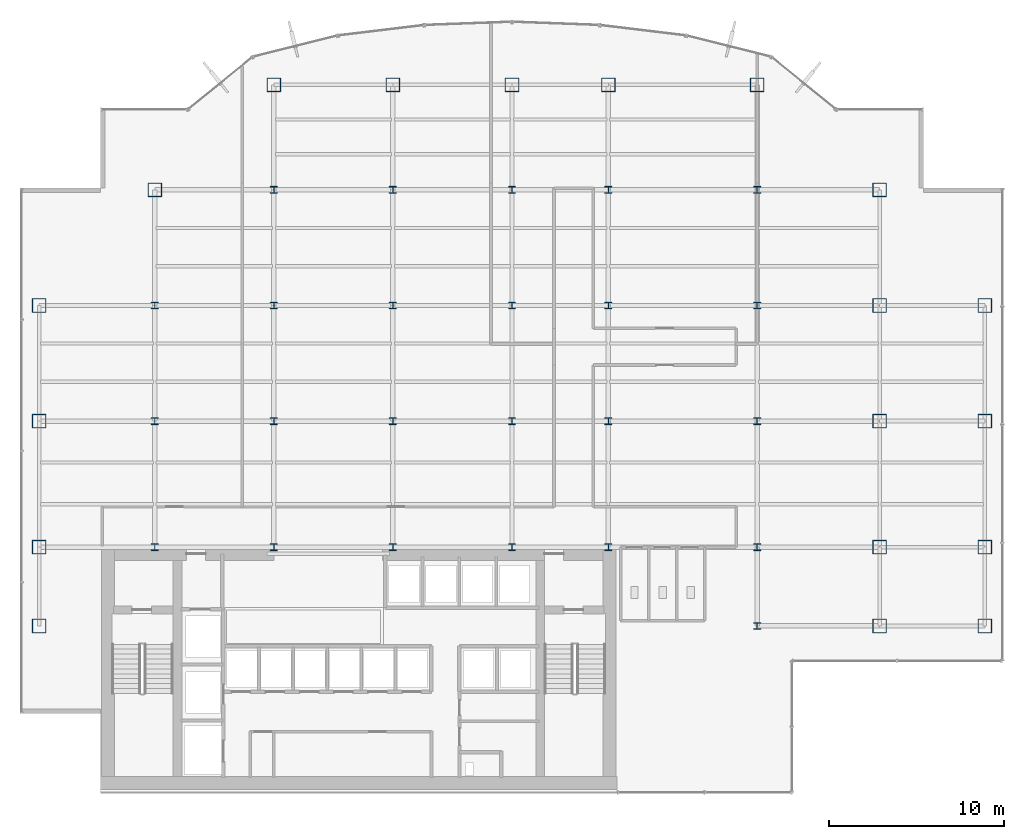
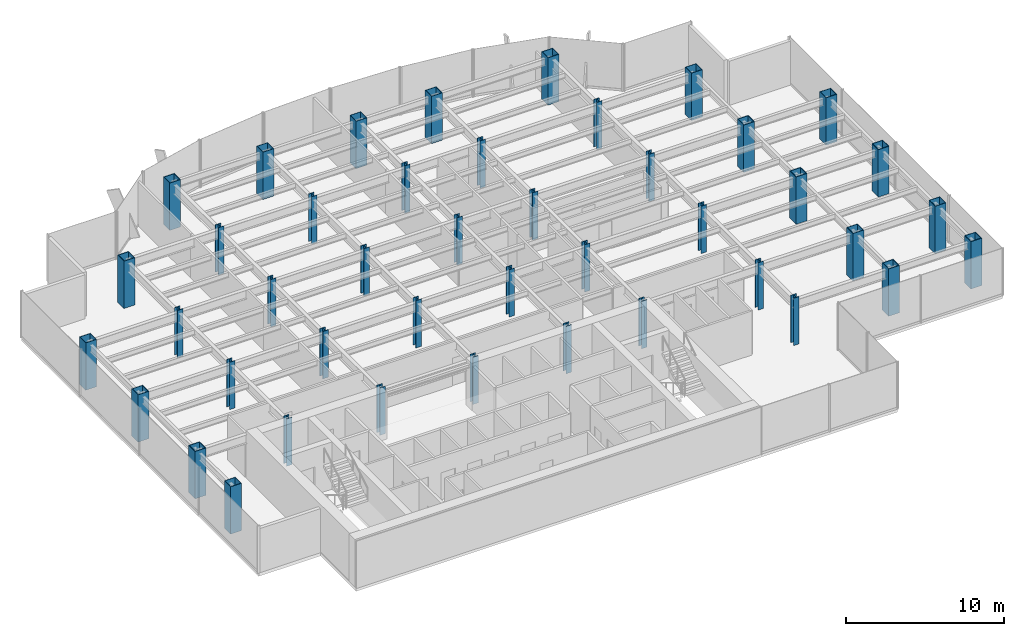
# One storey, part 1 of 26: 43 columns.
"""IFC4 building model written with IfcOpenShell, lengths in metres."""

from ifc_helpers import new_model, si_unit, derived_unit, direction, frame, origin, origin_2d, place, context, subcontext, project, spatial, hollow_rectangle, i_section, extrude, source, transform, mapped, material, material_profile, profile_set, type_object, element, save


model = new_model("IFC4")

# Units and contexts
model_context = context("Model", 3, precision=1e-05, world=origin(), true_north=direction((0.0, 1.0)))
body_context = subcontext(model_context, "Body", "Model", "MODEL_VIEW")
ifc_project = project(units=[si_unit("LENGTHUNIT", "METRE"), si_unit("AREAUNIT", "SQUARE_METRE"), si_unit("VOLUMEUNIT", "CUBIC_METRE"), si_unit("PLANEANGLEUNIT", "RADIAN"), si_unit("MASSUNIT", "GRAM", prefix="KILO"), derived_unit("THERMALTRANSMITTANCEUNIT", [(si_unit("POWERUNIT", "WATT"), 1), (si_unit("LENGTHUNIT", "METRE"), -2), (si_unit("THERMODYNAMICTEMPERATUREUNIT", "KELVIN"), -1)])], contexts=[model_context])

# Site, building, storey
site_placement = place(None, origin())
site = spatial("IfcSite", under=ifc_project, at=site_placement, CompositionType="ELEMENT")
building_placement = place(site_placement, origin())
building = spatial("IfcBuilding", under=site, at=building_placement, Name="Skarnbrae Concourse Arena and Tower", CompositionType="ELEMENT")
storey_placement = place(building_placement, frame((0.0, 0.0, 117.85009765625)))
storey = spatial("IfcBuildingStorey", under=building, at=storey_placement, Name="L29", CompositionType="ELEMENT", Elevation=117.85009765625)

# Columns
ifc_material = material(Name="Steel CSA G40.21 350W", Category="steel")
ifc_material_profile_1 = material_profile(ifc_material, hollow_rectangle(XDim=0.800048828125, YDim=0.800048828125, WallThickness=0.0400390625, at=origin_2d()), Name="BOX800X800X40")
ifc_profile_set_1 = profile_set([ifc_material_profile_1], Name="Steel CSA G40.21 350W")
column_type_1 = type_object("IfcColumnType", Name="COL-TUBE-BOX800", PredefinedType="COLUMN", material=ifc_profile_set_1)
shared_shape_1 = source(origin(), body_context, "Body", "SweptSolid", [
    extrude(hollow_rectangle(XDim=0.800048828125, YDim=0.800048828125, WallThickness=0.0400390625, at=origin_2d()), origin(), (0.0, 0.0, 1.0), 3.64990234375),
])
for number, where, z_axis, x_axis, name in (
    (1, (1.0, 9.5, 0.0), (0.0, 0.0, 1.0), (1.0, 0.0, 0.0), "L29 Tower column PC_01_01"),
    (2, (1.0, 14.0, 0.0), (0.0, 0.0, 1.0), (1.0, 0.0, 0.0), "L29 Tower column PC_01_02"),
    (3, (1.0, 21.199951171875, 0.0), (0.0, 0.0, 1.0), (1.0, 0.0, 0.0), "L29 Tower column PC_01_03"),
    (4, (1.0, 27.800048828125, 0.0), (0.0, 0.0, 1.0), (1.0, 0.0, 0.0), "L29 Tower column PC_01_04"),
    (5, (7.60009765625, 34.39990234375, 0.0), (0.0, 0.0, 1.0), (1.0, 0.0, 0.0), "L29 Tower column PC_02_05"),
    (6, (14.39990234375, 40.39990234375, 0.0), (0.0, 0.0, 1.0), (1.0, 0.0, 0.0), "L29 Tower column PC_03_06"),
    (7, (21.199951171875, 40.39990234375, 0.0), (0.0, 0.0, 1.0), (1.0, 0.0, 0.0), "L29 Tower column PC_04_06"),
    (8, (28.0, 40.39990234375, 0.0), (0.0, 0.0, 1.0), (1.0, 0.0, 0.0), "L29 Tower column PC_05_06"),
    (9, (33.5, 40.39990234375, 0.0), (0.0, 0.0, 1.0), (1.0, 0.0, 0.0), "L29 Tower column PC_06_06"),
    (10, (42.0, 40.39990234375, 0.0), (0.0, 0.0, 1.0), (1.0, 0.0, 0.0), "L29 Tower column PC_07_06"),
    (11, (49.0, 9.5, 0.0), (0.0, 0.0, 1.0), (1.0, 0.0, 0.0), "L29 Tower column PC_08_01"),
    (12, (49.0, 14.0, 0.0), (0.0, 0.0, 1.0), (1.0, 0.0, 0.0), "L29 Tower column PC_08_02"),
    (13, (49.0, 21.199951171875, 0.0), (0.0, 0.0, 1.0), (1.0, 0.0, 0.0), "L29 Tower column PC_08_03"),
    (14, (49.0, 27.800048828125, 0.0), (0.0, 0.0, 1.0), (1.0, 0.0, 0.0), "L29 Tower column PC_08_04"),
    (15, (49.0, 34.39990234375, 0.0), (0.0, 0.0, 1.0), (1.0, 0.0, 0.0), "L29 Tower column PC_08_05"),
    (16, (55.0, 9.5, 0.0), (0.0, 0.0, 1.0), (1.0, 0.0, 0.0), "L29 Tower column PC_09_01"),
    (17, (55.0, 14.0, 0.0), (0.0, 0.0, 1.0), (1.0, 0.0, 0.0), "L29 Tower column PC_09_02"),
    (18, (55.0, 21.199951171875, 0.0), (0.0, 0.0, 1.0), (1.0, 0.0, 0.0), "L29 Tower column PC_09_03"),
    (19, (55.0, 27.800048828125, 0.0), (0.0, 0.0, 1.0), (1.0, 0.0, 0.0), "L29 Tower column PC_09_04"),
):
    element("IfcColumn", number, at=place(storey_placement, frame(where, z_axis=z_axis, x_axis=x_axis)), inside=storey, type_object=column_type_1, Name=name, PredefinedType="COLUMN", context=body_context, shape_type="MappedRepresentation", body=[
        mapped(shared_shape_1, transform((0.0, 0.0, 0.0))),
    ])
ifc_material_profile_2 = material_profile(ifc_material, i_section(OverallWidth=0.39892578125, OverallDepth=0.39306640625, WebThickness=0.022705078125, FlangeThickness=0.03662109375, at=origin_2d()), Name="W360X287")
ifc_profile_set_2 = profile_set([ifc_material_profile_2], Name="Steel CSA G40.21 350W")
column_type_2 = type_object("IfcColumnType", Name="COL-INT-W360X287", PredefinedType="COLUMN", material=ifc_profile_set_2)
shared_shape_2 = source(origin(), body_context, "Body", "SweptSolid", [
    extrude(i_section(OverallWidth=0.39892578125, OverallDepth=0.39306640625, WebThickness=0.022705078125, FlangeThickness=0.03662109375, at=origin_2d()), origin(), (0.0, 0.0, 1.0), 3.64990234375),
])
for number, where, z_axis, x_axis, name in (
    (20, (7.60009765625, 14.0, 0.0), (0.0, 0.0, 1.0), (1.0, 0.0, 0.0), "L29 Tower column IC_02_02"),
    (21, (7.60009765625, 21.199951171875, 0.0), (0.0, 0.0, 1.0), (1.0, 0.0, 0.0), "L29 Tower column IC_02_03"),
    (22, (7.60009765625, 27.800048828125, 0.0), (0.0, 0.0, 1.0), (1.0, 0.0, 0.0), "L29 Tower column IC_02_04"),
    (23, (14.39990234375, 14.0, 0.0), (0.0, 0.0, 1.0), (1.0, 0.0, 0.0), "L29 Tower column IC_03_02"),
    (24, (14.39990234375, 21.199951171875, 0.0), (0.0, 0.0, 1.0), (1.0, 0.0, 0.0), "L29 Tower column IC_03_03"),
    (25, (14.39990234375, 27.800048828125, 0.0), (0.0, 0.0, 1.0), (1.0, 0.0, 0.0), "L29 Tower column IC_03_04"),
    (26, (14.39990234375, 34.39990234375, 0.0), (0.0, 0.0, 1.0), (1.0, 0.0, 0.0), "L29 Tower column IC_03_05"),
    (27, (21.199951171875, 14.0, 0.0), (0.0, 0.0, 1.0), (1.0, 0.0, 0.0), "L29 Tower column IC_04_02"),
    (28, (21.199951171875, 21.199951171875, 0.0), (0.0, 0.0, 1.0), (1.0, 0.0, 0.0), "L29 Tower column IC_04_03"),
    (29, (21.199951171875, 27.800048828125, 0.0), (0.0, 0.0, 1.0), (1.0, 0.0, 0.0), "L29 Tower column IC_04_04"),
    (30, (21.199951171875, 34.39990234375, 0.0), (0.0, 0.0, 1.0), (1.0, 0.0, 0.0), "L29 Tower column IC_04_05"),
    (31, (28.0, 14.0, 0.0), (0.0, 0.0, 1.0), (1.0, 0.0, 0.0), "L29 Tower column IC_05_02"),
    (32, (28.0, 21.199951171875, 0.0), (0.0, 0.0, 1.0), (1.0, 0.0, 0.0), "L29 Tower column IC_05_03"),
    (33, (28.0, 27.800048828125, 0.0), (0.0, 0.0, 1.0), (1.0, 0.0, 0.0), "L29 Tower column IC_05_04"),
    (34, (28.0, 34.39990234375, 0.0), (0.0, 0.0, 1.0), (1.0, 0.0, 0.0), "L29 Tower column IC_05_05"),
    (35, (33.5, 14.0, 0.0), (0.0, 0.0, 1.0), (1.0, 0.0, 0.0), "L29 Tower column IC_06_02"),
    (36, (33.5, 21.199951171875, 0.0), (0.0, 0.0, 1.0), (1.0, 0.0, 0.0), "L29 Tower column IC_06_03"),
    (37, (33.5, 27.800048828125, 0.0), (0.0, 0.0, 1.0), (1.0, 0.0, 0.0), "L29 Tower column IC_06_04"),
    (38, (33.5, 34.39990234375, 0.0), (0.0, 0.0, 1.0), (1.0, 0.0, 0.0), "L29 Tower column IC_06_05"),
    (39, (42.0, 9.5, 0.0), (0.0, 0.0, 1.0), (1.0, 0.0, 0.0), "L29 Tower column IC_07_01"),
    (40, (42.0, 14.0, 0.0), (0.0, 0.0, 1.0), (1.0, 0.0, 0.0), "L29 Tower column IC_07_02"),
    (41, (42.0, 21.199951171875, 0.0), (0.0, 0.0, 1.0), (1.0, 0.0, 0.0), "L29 Tower column IC_07_03"),
    (42, (42.0, 27.800048828125, 0.0), (0.0, 0.0, 1.0), (1.0, 0.0, 0.0), "L29 Tower column IC_07_04"),
    (43, (42.0, 34.39990234375, 0.0), (0.0, 0.0, 1.0), (1.0, 0.0, 0.0), "L29 Tower column IC_07_05"),
):
    element("IfcColumn", number, at=place(storey_placement, frame(where, z_axis=z_axis, x_axis=x_axis)), inside=storey, type_object=column_type_2, Name=name, PredefinedType="COLUMN", context=body_context, shape_type="MappedRepresentation", body=[
        mapped(shared_shape_2, transform((0.0, 0.0, 0.0))),
    ])

save(model, "model.ifc")
